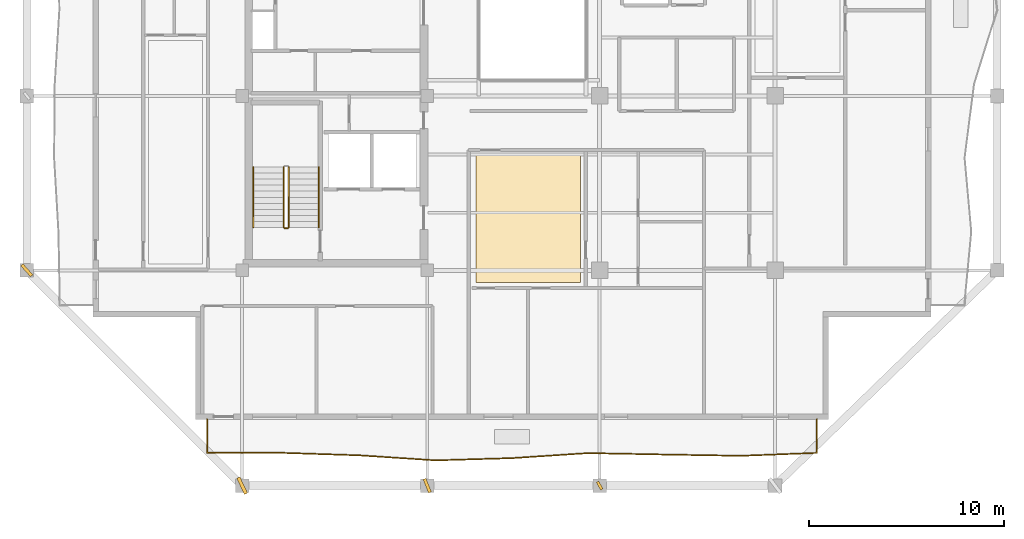
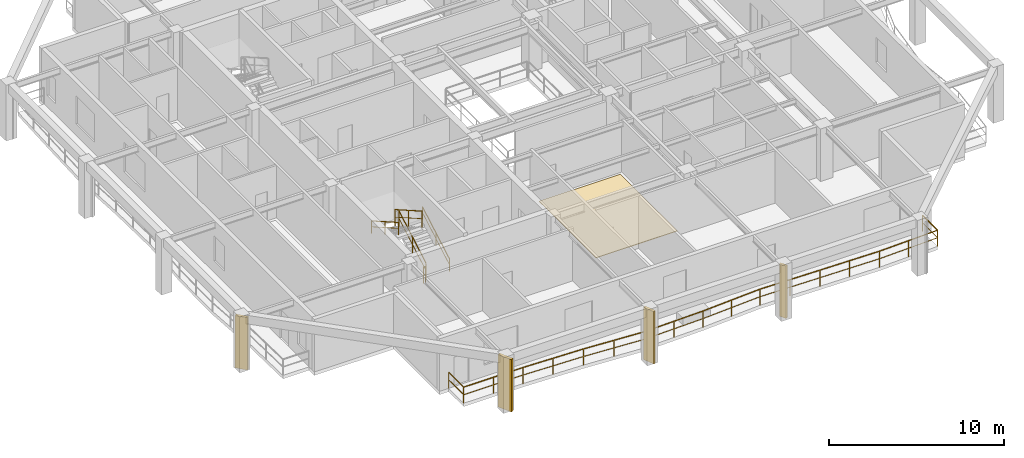
# One storey, part 7 of 11: 6 railings, 4 shading devices, 1 covering.
"""IFC4 building model written with IfcOpenShell, lengths in metres."""

from ifc_helpers import new_model, si_unit, direction, frame, origin, origin_2d, place, context, subcontext, project, spatial, polyline, rectangle, outline, extrude, material, layer, layer_set, type_object, element, save


model = new_model("IFC4")

# Units and contexts
model_context = context("Model", 3, precision=1e-05, world=origin(), true_north=direction((0.0, 1.0)))
body_context = subcontext(model_context, "Body", "Model", "MODEL_VIEW")
ifc_project = project(units=[si_unit("LENGTHUNIT", "METRE"), si_unit("AREAUNIT", "SQUARE_METRE"), si_unit("VOLUMEUNIT", "CUBIC_METRE"), si_unit("PLANEANGLEUNIT", "RADIAN"), si_unit("MASSUNIT", "GRAM", prefix="KILO")], contexts=[model_context])

# Site, building, storey
site_placement = place(None, origin())
site = spatial("IfcSite", under=ifc_project, at=site_placement, CompositionType="ELEMENT")
building_placement = place(site_placement, origin())
building = spatial("IfcBuilding", under=site, at=building_placement, Name="Kundavana Baori Tower", CompositionType="ELEMENT")
storey_placement = place(building_placement, frame((0.0, 0.0, 253.10009765625)))
storey = spatial("IfcBuildingStorey", under=building, at=storey_placement, Name="L62", CompositionType="ELEMENT", Elevation=253.10009765625)

# Covering
ifc_material_1 = material(Name="Honed Kota Stone and Terrazzo Flooring", Category="masonry")
ifc_layer = layer(ifc_material_1, 0.0400390625, Name="COV-FLR-TERR-40")
ifc_layer_set = layer_set([ifc_layer], Name="Honed Kota Stone and Terrazzo Flooring")
covering_type = type_object("IfcCoveringType", Name="COV-FLR-TERR-40", PredefinedType="FLOORING", material=ifc_layer_set)
covering_placement = place(storey_placement, origin())
element("IfcCovering", 1, at=covering_placement, inside=storey, type_object=covering_type, Name="L62 Room Finished Stone Flooring 3", PredefinedType="FLOORING", context=body_context, shape_type="SweptSolid", body=[
    extrude(outline(polyline([(27.43994140625, 14.6201171875), (32.81005859375, 14.6201171875), (32.81005859375, 21.139892578125), (27.43994140625, 21.139892578125), (27.43994140625, 14.6201171875)])), origin(), (0.0, 0.0, 1.0), 0.039794921875),
])

# Railings
ifc_material_2 = material(Name="Architectural Patinated Bronze Metalwork")
railing_type_1 = type_object("IfcRailingType", Name="RL-BAL-1150", PredefinedType="BALUSTRADE", material=ifc_material_2)
railing_1_placement = place(storey_placement, frame((44.949951171875, 7.60009765625, 0.0)))
element("IfcRailing", 2, at=railing_1_placement, inside=storey, type_object=railing_type_1, Name="L62 Loggia Balcony Balustrade S", PredefinedType="BALUSTRADE", context=body_context, shape_type="SweptSolid", body=[
    extrude(rectangle(XDim=0.048095703125, YDim=0.048095703125, at=origin_2d()), frame((0.0, 0.0, 1.1259765625), z_axis=(0.0, -1.0, 0.0), x_axis=(1.0, 0.0, 0.0)), (0.0, 0.0, 1.0), 1.72021484375),
    extrude(rectangle(XDim=0.03125, YDim=0.03125, at=origin_2d()), frame((0.0, 0.0, 0.597900390625), z_axis=(0.0, -1.0, 0.0), x_axis=(1.0, 0.0, 0.0)), (0.0, 0.0, 1.0), 1.72021484375),
    extrude(rectangle(XDim=0.048095703125, YDim=0.048095703125, at=origin_2d()), frame((0.0, -1.72021484375, 1.1259765625), z_axis=(-0.999257023507, -0.038540899989, 0.0), x_axis=(0.038540899989, -0.999257023507, 0.0)), (0.0, 0.0, 1.0), 3.914794921875),
    extrude(rectangle(XDim=0.03125, YDim=0.03125, at=origin_2d()), frame((0.0, -1.72021484375, 0.597900390625), z_axis=(-0.999257023507, -0.038540899989, 0.0), x_axis=(0.038540899989, -0.999257023507, 0.0)), (0.0, 0.0, 1.0), 3.914794921875),
    extrude(rectangle(XDim=0.048095703125, YDim=0.048095703125, at=origin_2d()), frame((-3.911865234375, -1.87109375, 1.1259765625), z_axis=(-0.999862315545, 0.01659367207, 0.0), x_axis=(-0.01659367207, -0.999862315545, 0.0)), (0.0, 0.0, 1.0), 3.91357421875),
    extrude(rectangle(XDim=0.03125, YDim=0.03125, at=origin_2d()), frame((-3.911865234375, -1.87109375, 0.597900390625), z_axis=(-0.999862315545, 0.01659367207, 0.0), x_axis=(-0.01659367207, -0.999862315545, 0.0)), (0.0, 0.0, 1.0), 3.91357421875),
    extrude(rectangle(XDim=0.048095703125, YDim=0.048095703125, at=origin_2d()), frame((-7.824951171875, -1.80615234375, 1.1259765625), z_axis=(-0.99982127021, 0.01890575667, 0.0), x_axis=(-0.01890575667, -0.99982127021, 0.0)), (0.0, 0.0, 1.0), 3.912841796875),
    extrude(rectangle(XDim=0.03125, YDim=0.03125, at=origin_2d()), frame((-7.824951171875, -1.80615234375, 0.597900390625), z_axis=(-0.99982127021, 0.01890575667, 0.0), x_axis=(-0.01890575667, -0.99982127021, 0.0)), (0.0, 0.0, 1.0), 3.912841796875),
    extrude(rectangle(XDim=0.048095703125, YDim=0.048095703125, at=origin_2d()), frame((-11.737060546875, -1.732177734375, 1.1259765625), z_axis=(-0.997836374411, -0.065746253908, 0.0), x_axis=(0.065746253908, -0.997836374411, 0.0)), (0.0, 0.0, 1.0), 3.92138671875),
    extrude(rectangle(XDim=0.03125, YDim=0.03125, at=origin_2d()), frame((-11.737060546875, -1.732177734375, 0.597900390625), z_axis=(-0.997836374411, -0.065746253908, 0.0), x_axis=(0.065746253908, -0.997836374411, 0.0)), (0.0, 0.0, 1.0), 3.92138671875),
    extrude(rectangle(XDim=0.048095703125, YDim=0.048095703125, at=origin_2d()), frame((-15.64990234375, -1.989990234375, 1.1259765625), z_axis=(-0.999575590256, -0.029131415417, 0.0), x_axis=(0.029131415417, -0.999575590256, 0.0)), (0.0, 0.0, 1.0), 3.913818359375),
    extrude(rectangle(XDim=0.03125, YDim=0.03125, at=origin_2d()), frame((-15.64990234375, -1.989990234375, 0.597900390625), z_axis=(-0.999575590256, -0.029131415417, 0.0), x_axis=(0.029131415417, -0.999575590256, 0.0)), (0.0, 0.0, 1.0), 3.913818359375),
    extrude(rectangle(XDim=0.048095703125, YDim=0.048095703125, at=origin_2d()), frame((-19.56201171875, -2.10400390625, 1.1259765625), z_axis=(-0.997852681812, 0.065498285472, 0.0), x_axis=(-0.065498285472, -0.997852681812, 0.0)), (0.0, 0.0, 1.0), 3.921142578125),
    extrude(rectangle(XDim=0.03125, YDim=0.03125, at=origin_2d()), frame((-19.56201171875, -2.10400390625, 0.597900390625), z_axis=(-0.997852681812, 0.065498285472, 0.0), x_axis=(-0.065498285472, -0.997852681812, 0.0)), (0.0, 0.0, 1.0), 3.921142578125),
    extrude(rectangle(XDim=0.048095703125, YDim=0.048095703125, at=origin_2d()), frame((-23.474853515625, -1.84716796875, 1.1259765625), z_axis=(-0.999474133691, 0.032426163559, 0.0), x_axis=(-0.032426163559, -0.999474133691, 0.0)), (0.0, 0.0, 1.0), 3.9150390625),
    extrude(rectangle(XDim=0.03125, YDim=0.03125, at=origin_2d()), frame((-23.474853515625, -1.84716796875, 0.597900390625), z_axis=(-0.999474133691, 0.032426163559, 0.0), x_axis=(-0.032426163559, -0.999474133691, 0.0)), (0.0, 0.0, 1.0), 3.9150390625),
    extrude(rectangle(XDim=0.048095703125, YDim=0.048095703125, at=origin_2d()), frame((-27.387939453125, -1.72021484375, 1.1259765625), z_axis=(-1.0, 0.0, 0.0), x_axis=(0.0, -1.0, 0.0)), (0.0, 0.0, 1.0), 3.912109375),
    extrude(rectangle(XDim=0.03125, YDim=0.03125, at=origin_2d()), frame((-27.387939453125, -1.72021484375, 0.597900390625), z_axis=(-1.0, 0.0, 0.0), x_axis=(0.0, -1.0, 0.0)), (0.0, 0.0, 1.0), 3.912109375),
    extrude(rectangle(XDim=0.048095703125, YDim=0.048095703125, at=origin_2d()), frame((-31.300048828125, -1.72021484375, 1.1259765625), z_axis=(0.0, 1.0, 0.0), x_axis=(-1.0, 0.0, 0.0)), (0.0, 0.0, 1.0), 1.72021484375),
    extrude(rectangle(XDim=0.03125, YDim=0.03125, at=origin_2d()), frame((-31.300048828125, -1.72021484375, 0.597900390625), z_axis=(0.0, 1.0, 0.0), x_axis=(-1.0, 0.0, 0.0)), (0.0, 0.0, 1.0), 1.72021484375),
    extrude(rectangle(XDim=0.0419921875, YDim=0.0419921875, at=origin_2d()), origin(), (0.0, 0.0, 1.0), 1.101806640625),
    extrude(rectangle(XDim=0.0419921875, YDim=0.0419921875, at=origin_2d()), frame((0.0, -1.72021484375, 0.0)), (0.0, 0.0, 1.0), 1.101806640625),
    extrude(rectangle(XDim=0.0419921875, YDim=0.0419921875, at=origin_2d()), frame((-1.9560546875, -1.795654296875, 0.0)), (0.0, 0.0, 1.0), 1.101806640625),
    extrude(rectangle(XDim=0.0419921875, YDim=0.0419921875, at=origin_2d()), frame((-3.911865234375, -1.87109375, 0.0)), (0.0, 0.0, 1.0), 1.101806640625),
    extrude(rectangle(XDim=0.0419921875, YDim=0.0419921875, at=origin_2d()), frame((-5.868408203125, -1.838623046875, 0.0)), (0.0, 0.0, 1.0), 1.101806640625),
    extrude(rectangle(XDim=0.0419921875, YDim=0.0419921875, at=origin_2d()), frame((-7.824951171875, -1.80615234375, 0.0)), (0.0, 0.0, 1.0), 1.101806640625),
    extrude(rectangle(XDim=0.0419921875, YDim=0.0419921875, at=origin_2d()), frame((-9.781005859375, -1.76904296875, 0.0)), (0.0, 0.0, 1.0), 1.101806640625),
    extrude(rectangle(XDim=0.0419921875, YDim=0.0419921875, at=origin_2d()), frame((-11.737060546875, -1.732177734375, 0.0)), (0.0, 0.0, 1.0), 1.101806640625),
    extrude(rectangle(XDim=0.0419921875, YDim=0.0419921875, at=origin_2d()), frame((-13.693359375, -1.861083984375, 0.0)), (0.0, 0.0, 1.0), 1.101806640625),
    extrude(rectangle(XDim=0.0419921875, YDim=0.0419921875, at=origin_2d()), frame((-15.64990234375, -1.989990234375, 0.0)), (0.0, 0.0, 1.0), 1.101806640625),
    extrude(rectangle(XDim=0.0419921875, YDim=0.0419921875, at=origin_2d()), frame((-17.60595703125, -2.046875, 0.0)), (0.0, 0.0, 1.0), 1.101806640625),
    extrude(rectangle(XDim=0.0419921875, YDim=0.0419921875, at=origin_2d()), frame((-19.56201171875, -2.10400390625, 0.0)), (0.0, 0.0, 1.0), 1.101806640625),
    extrude(rectangle(XDim=0.0419921875, YDim=0.0419921875, at=origin_2d()), frame((-21.5185546875, -1.9755859375, 0.0)), (0.0, 0.0, 1.0), 1.101806640625),
    extrude(rectangle(XDim=0.0419921875, YDim=0.0419921875, at=origin_2d()), frame((-23.474853515625, -1.84716796875, 0.0)), (0.0, 0.0, 1.0), 1.101806640625),
    extrude(rectangle(XDim=0.0419921875, YDim=0.0419921875, at=origin_2d()), frame((-25.431396484375, -1.78369140625, 0.0)), (0.0, 0.0, 1.0), 1.101806640625),
    extrude(rectangle(XDim=0.0419921875, YDim=0.0419921875, at=origin_2d()), frame((-27.387939453125, -1.72021484375, 0.0)), (0.0, 0.0, 1.0), 1.101806640625),
    extrude(rectangle(XDim=0.0419921875, YDim=0.0419921875, at=origin_2d()), frame((-29.343994140625, -1.72021484375, 0.0)), (0.0, 0.0, 1.0), 1.101806640625),
    extrude(rectangle(XDim=0.0419921875, YDim=0.0419921875, at=origin_2d()), frame((-31.300048828125, -1.72021484375, 0.0)), (0.0, 0.0, 1.0), 1.101806640625),
    extrude(rectangle(XDim=0.0419921875, YDim=0.0419921875, at=origin_2d()), frame((-31.300048828125, 0.0, 0.0)), (0.0, 0.0, 1.0), 1.101806640625),
])
ifc_material_3 = material(Name="Architectural Patinated Bronze Metalwork")
railing_type_2 = type_object("IfcRailingType", Name="RL-GRD-1150", PredefinedType="GUARDRAIL", material=ifc_material_3)
railing_2_placement = place(storey_placement, frame((17.840087890625, 17.449951171875, 0.17724609375)))
element("IfcRailing", 3, at=railing_2_placement, inside=storey, type_object=railing_type_2, Name="L62 ST1 stair guard 1", PredefinedType="GUARDRAIL", context=body_context, shape_type="SweptSolid", body=[
    extrude(rectangle(XDim=0.048095703125, YDim=0.048095703125, at=origin_2d()), frame((0.0, 0.0, 1.1259765625), z_axis=(0.0, 0.868095856688, 0.496396599103), x_axis=(-1.0, 0.0, 0.0)), (0.0, 0.0, 1.0), 3.571044921875),
    extrude(rectangle(XDim=0.03125, YDim=0.03125, at=origin_2d()), frame((0.0, 0.0, 0.597900390625), z_axis=(0.0, 0.868095856688, 0.496396599103), x_axis=(-1.0, 0.0, 0.0)), (0.0, 0.0, 1.0), 3.571044921875),
    extrude(rectangle(XDim=0.0419921875, YDim=0.0419921875, at=origin_2d()), origin(), (0.0, 0.0, 1.0), 1.101806640625),
    extrude(rectangle(XDim=0.0419921875, YDim=0.0419921875, at=origin_2d()), frame((0.0, 1.550048828125, 0.88623046875)), (0.0, 0.0, 1.0), 1.101806640625),
    extrude(rectangle(XDim=0.0419921875, YDim=0.0419921875, at=origin_2d()), frame((0.0, 3.10009765625, 1.772705078125)), (0.0, 0.0, 1.0), 1.101806640625),
])
railing_3_placement = place(storey_placement, frame((17.580078125, 20.550048828125, 2.127197265625)))
element("IfcRailing", 4, at=railing_3_placement, inside=storey, type_object=railing_type_2, Name="L62 ST1 stair guard 3", PredefinedType="GUARDRAIL", context=body_context, shape_type="SweptSolid", body=[
    extrude(rectangle(XDim=0.048095703125, YDim=0.048095703125, at=origin_2d()), frame((0.0, 0.0, 1.1259765625), z_axis=(0.0, -0.868095856688, 0.496396599103), x_axis=(1.0, 0.0, 0.0)), (0.0, 0.0, 1.0), 3.571044921875),
    extrude(rectangle(XDim=0.03125, YDim=0.03125, at=origin_2d()), frame((0.0, 0.0, 0.597900390625), z_axis=(0.0, -0.868095856688, 0.496396599103), x_axis=(1.0, 0.0, 0.0)), (0.0, 0.0, 1.0), 3.571044921875),
    extrude(rectangle(XDim=0.0419921875, YDim=0.0419921875, at=origin_2d()), origin(), (0.0, 0.0, 1.0), 1.101806640625),
    extrude(rectangle(XDim=0.0419921875, YDim=0.0419921875, at=origin_2d()), frame((0.0, -1.550048828125, 0.88623046875)), (0.0, 0.0, 1.0), 1.101806640625),
    extrude(rectangle(XDim=0.0419921875, YDim=0.0419921875, at=origin_2d()), frame((0.0, -3.10009765625, 1.772705078125)), (0.0, 0.0, 1.0), 1.101806640625),
])
railing_4_placement = place(storey_placement, frame((17.7900390625, 17.39990234375, 0.0)))
element("IfcRailing", 5, at=railing_4_placement, inside=storey, type_object=railing_type_2, Name="L62 ST1 stair guard 4", PredefinedType="GUARDRAIL", context=body_context, shape_type="SweptSolid", body=[
    extrude(rectangle(XDim=0.048095703125, YDim=0.048095703125, at=origin_2d()), frame((0.0, 0.0, 1.1259765625), z_axis=(-1.0, 0.0, 0.0), x_axis=(0.0, -1.0, 0.0)), (0.0, 0.0, 1.0), 0.16015625),
    extrude(rectangle(XDim=0.03125, YDim=0.03125, at=origin_2d()), frame((0.0, 0.0, 0.597900390625), z_axis=(-1.0, 0.0, 0.0), x_axis=(0.0, -1.0, 0.0)), (0.0, 0.0, 1.0), 0.16015625),
    extrude(rectangle(XDim=0.0419921875, YDim=0.0419921875, at=origin_2d()), origin(), (0.0, 0.0, 1.0), 1.101806640625),
    extrude(rectangle(XDim=0.0419921875, YDim=0.0419921875, at=origin_2d()), frame((-0.16015625, 0.0, 0.0)), (0.0, 0.0, 1.0), 1.101806640625),
])
ifc_material_4 = material(Name="Architectural Patinated Bronze Metalwork")
railing_type_3 = type_object("IfcRailingType", Name="RL-HND-920", PredefinedType="HANDRAIL", material=ifc_material_4)
railing_5_placement = place(storey_placement, frame((19.389892578125, 17.449951171875, 0.17724609375)))
element("IfcRailing", 6, at=railing_5_placement, inside=storey, type_object=railing_type_3, Name="L62 ST1 stair handrail 1", PredefinedType="HANDRAIL", context=body_context, shape_type="SweptSolid", body=[
    extrude(rectangle(XDim=0.048095703125, YDim=0.048095703125, at=origin_2d()), frame((0.0, 0.0, 0.8759765625), z_axis=(0.0, 0.868095856688, 0.496396599103), x_axis=(-1.0, 0.0, 0.0)), (0.0, 0.0, 1.0), 3.571044921875),
    extrude(rectangle(XDim=0.03125, YDim=0.03125, at=origin_2d()), frame((0.0, 0.0, 0.468017578125), z_axis=(0.0, 0.868095856688, 0.496396599103), x_axis=(-1.0, 0.0, 0.0)), (0.0, 0.0, 1.0), 3.571044921875),
    extrude(rectangle(XDim=0.0419921875, YDim=0.0419921875, at=origin_2d()), origin(), (0.0, 0.0, 1.0), 0.851806640625),
    extrude(rectangle(XDim=0.0419921875, YDim=0.0419921875, at=origin_2d()), frame((0.0, 1.550048828125, 0.88623046875)), (0.0, 0.0, 1.0), 0.851806640625),
    extrude(rectangle(XDim=0.0419921875, YDim=0.0419921875, at=origin_2d()), frame((0.0, 3.10009765625, 1.772705078125)), (0.0, 0.0, 1.0), 0.851806640625),
])
railing_6_placement = place(storey_placement, frame((16.030029296875, 20.550048828125, 2.127197265625)))
element("IfcRailing", 7, at=railing_6_placement, inside=storey, type_object=railing_type_3, Name="L62 ST1 stair handrail 2", PredefinedType="HANDRAIL", context=body_context, shape_type="SweptSolid", body=[
    extrude(rectangle(XDim=0.048095703125, YDim=0.048095703125, at=origin_2d()), frame((0.0, 0.0, 0.8759765625), z_axis=(0.0, -0.868095856688, 0.496396599103), x_axis=(1.0, 0.0, 0.0)), (0.0, 0.0, 1.0), 3.571044921875),
    extrude(rectangle(XDim=0.03125, YDim=0.03125, at=origin_2d()), frame((0.0, 0.0, 0.468017578125), z_axis=(0.0, -0.868095856688, 0.496396599103), x_axis=(1.0, 0.0, 0.0)), (0.0, 0.0, 1.0), 3.571044921875),
    extrude(rectangle(XDim=0.0419921875, YDim=0.0419921875, at=origin_2d()), origin(), (0.0, 0.0, 1.0), 0.851806640625),
    extrude(rectangle(XDim=0.0419921875, YDim=0.0419921875, at=origin_2d()), frame((0.0, -1.550048828125, 0.88623046875)), (0.0, 0.0, 1.0), 0.851806640625),
    extrude(rectangle(XDim=0.0419921875, YDim=0.0419921875, at=origin_2d()), frame((0.0, -3.10009765625, 1.772705078125)), (0.0, 0.0, 1.0), 0.851806640625),
])

# Shading devices
ifc_material_5 = material(Name="Red-Buff Dholpur Sandstone Cladding on Concrete C40/50", Category="masonry")
shading_device_type_1 = type_object("IfcShadingDeviceType", Name="SHD-FIN-750", PredefinedType="JALOUSIE", material=ifc_material_5)
for number, where, z_axis, x_axis, name in (
    (8, (24.949951171875, 4.199951171875, 0.0), (0.0, 0.0, 1.0), (0.926528630872, 0.376224263139, 0.0), "L62 Sweeping Dholpur Sandstone Facade Fin 2"),
    (9, (4.39990234375, 15.25, 0.0), (0.0, 0.0, 1.0), (0.743144825477, 0.669130606359, 0.0), "L62 Sweeping Dholpur Sandstone Facade Fin 5"),
):
    element("IfcShadingDevice", number, at=place(storey_placement, frame(where, z_axis=z_axis, x_axis=x_axis)), inside=storey, type_object=shading_device_type_1, Name=name, PredefinedType="JALOUSIE", context=body_context, shape_type="SweptSolid", body=[
        extrude(rectangle(XDim=0.159912109375, YDim=0.75, at=origin_2d()), origin(), (0.0, 0.0, 1.0), 3.659912109375),
    ])
ifc_material_6 = material(Name="Red-Buff Dholpur Sandstone Cladding on Concrete C40/50", Category="masonry")
shading_device_type_2 = type_object("IfcShadingDeviceType", Name="SHD-FIN-920", PredefinedType="JALOUSIE", material=ifc_material_6)
shading_device_1_placement = place(storey_placement, frame((15.449951171875, 4.199951171875, 0.0), z_axis=(0.0, 0.0, 1.0), x_axis=(0.902660408963, 0.430353559402, 0.0)))
element("IfcShadingDevice", 10, at=shading_device_1_placement, inside=storey, type_object=shading_device_type_2, Name="L62 Sweeping Dholpur Sandstone Facade Fin 1", PredefinedType="JALOUSIE", context=body_context, shape_type="SweptSolid", body=[
    extrude(rectangle(XDim=0.179931640625, YDim=0.919921875, at=origin_2d()), origin(), (0.0, 0.0, 1.0), 3.659912109375),
])
ifc_material_7 = material(Name="Architectural Patinated Bronze Metalwork")
shading_device_type_3 = type_object("IfcShadingDeviceType", Name="SHD-LOUV-450", PredefinedType="SHUTTER", material=ifc_material_7)
shading_device_2_placement = place(storey_placement, frame((33.800048828125, 4.199951171875, 0.0), z_axis=(0.0, 0.0, 1.0), x_axis=(0.884499561918, 0.466541021741, 0.0)))
element("IfcShadingDevice", 11, at=shading_device_2_placement, inside=storey, type_object=shading_device_type_3, Name="L62 Sweeping Dholpur Sandstone Facade Fin 3", PredefinedType="SHUTTER", context=body_context, shape_type="SweptSolid", body=[
    extrude(rectangle(XDim=0.139892578125, YDim=0.449951171875, at=origin_2d()), origin(), (0.0, 0.0, 1.0), 3.659912109375),
])

save(model, "model.ifc")
